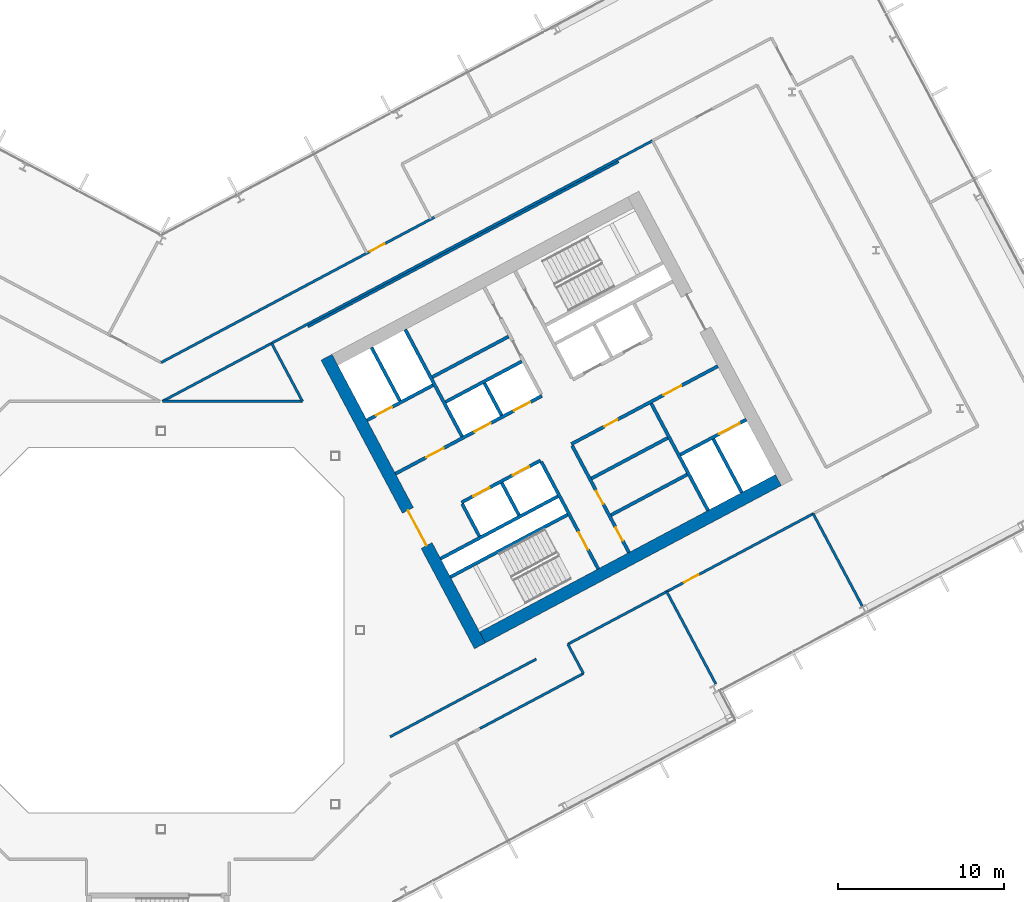
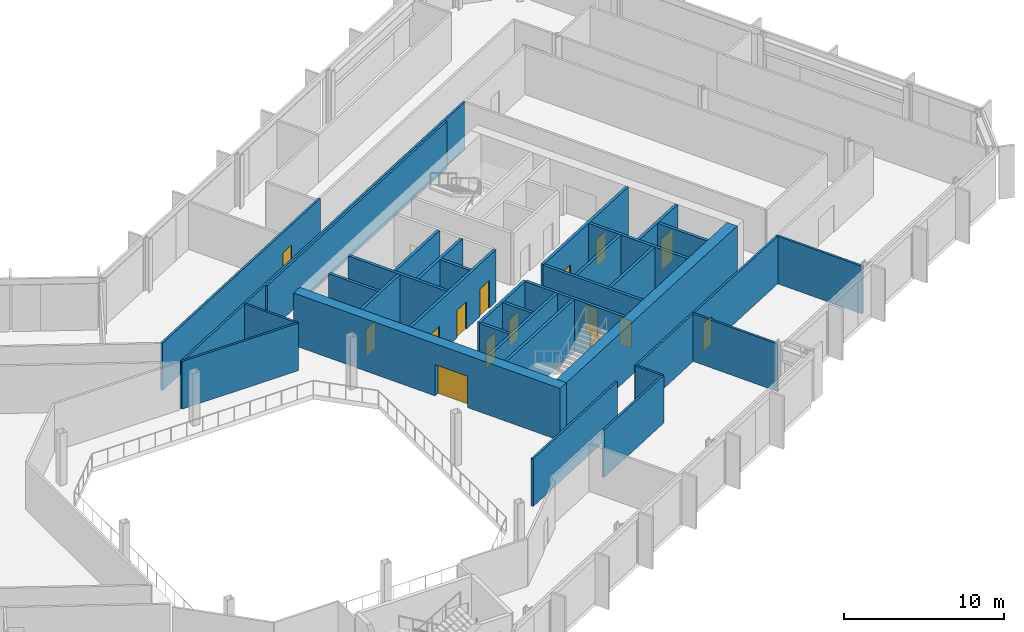
# One storey, part 16 of 28: 33 walls, 15 doors, 15 openings.
"""IFC4 building model written with IfcOpenShell, lengths in metres."""

from ifc_helpers import new_model, si_unit, direction, frame, frame_2d, origin, place, context, subcontext, project, spatial, rectangle, extrude, material, layer, layer_set, type_object, element, fill, save


model = new_model("IFC4")

# Units and contexts
model_context = context("Model", 3, precision=1e-05, world=origin(), true_north=direction((0.0, 1.0)))
body_context = subcontext(model_context, "Body", "Model", "MODEL_VIEW")
ifc_project = project(units=[si_unit("LENGTHUNIT", "METRE"), si_unit("AREAUNIT", "SQUARE_METRE"), si_unit("VOLUMEUNIT", "CUBIC_METRE"), si_unit("PLANEANGLEUNIT", "RADIAN"), si_unit("MASSUNIT", "GRAM", prefix="KILO")], contexts=[model_context])

# Site, building, storey
site_placement = place(None, origin())
site = spatial("IfcSite", under=ifc_project, at=site_placement, CompositionType="ELEMENT")
building_placement = place(site_placement, origin())
building = spatial("IfcBuilding", under=site, at=building_placement, Name="Cormorant Relay Tower", CompositionType="ELEMENT")
storey_placement = place(building_placement, frame((0.0, 0.0, 134.199951171875)))
storey = spatial("IfcBuildingStorey", under=building, at=storey_placement, Name="L27", CompositionType="ELEMENT", Elevation=134.199951171875)

# Walls
ifc_material_1 = material(Name="Concrete 40 MPa", Category="concrete")
ifc_layer_1 = layer(ifc_material_1, 0.199951171875)
ifc_layer_set_1 = layer_set([ifc_layer_1], Name="Core internal wall 200")
wall_type_1 = type_object("IfcWallType", Name="Core internal wall 200", PredefinedType="SOLIDWALL", material=ifc_layer_set_1)
for number, where, z_axis, x_axis, name in (
    (1, (21.567626953125, 6.9375, 0.0), (0.0, 0.0, 1.0), (-0.469533832133, 0.882914480843, 0.0), "L27 core B shaft and room wall"),
    (2, (20.522216796875, 12.950439453125, 0.0), (0.0, 0.0, 1.0), (-0.469401318492, 0.882984938828, 0.0), "L27 core B shaft and room wall"),
):
    element("IfcWall", number, at=place(storey_placement, frame(where, z_axis=z_axis, x_axis=x_axis)), inside=storey, type_object=wall_type_1, Name=name, PredefinedType="SOLIDWALL", context=body_context, shape_type="SweptSolid", body=[
        extrude(rectangle(XDim=2.199951171875, YDim=0.199951171875, at=frame_2d((1.10009765625, 0.0))), origin(), (0.0, 0.0, 1.0), 4.0),
    ])
for number, where, z_axis, x_axis, name in (
    (3, (27.11474609375, 6.942138671875, 0.0), (0.0, 0.0, 1.0), (0.882934506056, 0.469496174655, 0.0), "L27 core B shaft and room wall"),
    (4, (16.3486328125, 15.26171875, 0.0), (0.0, 0.0, 1.0), (0.882953967957, 0.469459572775, 0.0), "L27 core B shaft and room wall"),
):
    element("IfcWall", number, at=place(storey_placement, frame(where, z_axis=z_axis, x_axis=x_axis)), inside=storey, type_object=wall_type_1, Name=name, PredefinedType="SOLIDWALL", context=body_context, shape_type="SweptSolid", body=[
        extrude(rectangle(XDim=5.199951171875, YDim=0.199951171875, at=frame_2d((2.60009765625, 0.0))), origin(), (0.0, 0.0, 1.0), 4.0),
    ])
ifc_material_2 = material(Name="Concrete 50 MPa", Category="concrete")
ifc_layer_2 = layer(ifc_material_2, 0.199951171875)
ifc_layer_set_2 = layer_set([ifc_layer_2], Name="Core shaft wall 200")
wall_type_2 = type_object("IfcWallType", Name="Core shaft wall 200", PredefinedType="SHEAR", material=ifc_layer_set_2)
wall_1_placement = place(storey_placement, frame((14.39404296875, 13.825927734375, 0.0), z_axis=(0.0, 0.0, 1.0), x_axis=(-0.469494272526, 0.882935517501, 0.0)))
element("IfcWall", 5, at=wall_1_placement, inside=storey, type_object=wall_type_2, Name="L27 core B shaft wall", PredefinedType="SHEAR", context=body_context, shape_type="SweptSolid", body=[
    extrude(rectangle(XDim=3.64990234375, YDim=0.199951171875, at=frame_2d((1.824951171875, 0.0))), origin(), (0.0, 0.0, 1.0), 4.0),
])
wall_2_placement = place(storey_placement, frame((19.18359375, 5.669921875, 0.0), z_axis=(0.0, 0.0, 1.0), x_axis=(-0.4694473164, 0.882960484464, 0.0)))
element("IfcWall", 6, at=wall_2_placement, inside=storey, type_object=wall_type_2, Name="L27 core B shaft wall", PredefinedType="SHEAR", context=body_context, shape_type="SweptSolid", body=[
    extrude(rectangle(XDim=2.199951171875, YDim=0.199951171875, at=frame_2d((1.10009765625, 0.0))), origin(), (0.0, 0.0, 1.0), 4.0),
])
wall_3_placement = place(storey_placement, frame((18.138427734375, 11.682861328125, 0.0), z_axis=(0.0, 0.0, 1.0), x_axis=(-0.469480409012, 0.88294288918, 0.0)))
element("IfcWall", 7, at=wall_3_placement, inside=storey, type_object=wall_type_2, Name="L27 core B shaft wall", PredefinedType="SHEAR", context=body_context, shape_type="SweptSolid", body=[
    extrude(rectangle(XDim=7.300048828125, YDim=0.199951171875, at=frame_2d((3.64990234375, 0.0))), origin(), (0.0, 0.0, 1.0), 4.0),
])

# Wall, opening, door
wall_4_placement = place(storey_placement, frame((26.345947265625, 3.701904296875, 0.0), z_axis=(0.0, 0.0, 1.0), x_axis=(-0.469480409012, 0.88294288918, 0.0)))
wall_4 = element("IfcWall", 8, at=wall_4_placement, inside=storey, type_object=wall_type_2, Name="L27 core B shaft wall", PredefinedType="SHEAR", context=body_context, shape_type="SweptSolid", body=[
    extrude(rectangle(XDim=7.300048828125, YDim=0.199951171875, at=frame_2d((3.64990234375, 0.0))), origin(), (0.0, 0.0, 1.0), 4.0),
])
opening_1_placement = place(wall_4_placement, frame((1.300048828125, 0.0, 0.0)))
opening_1 = element("IfcOpeningElement", 9, at=opening_1_placement, cuts=wall_4, Name="Opening CDB-036", PredefinedType="OPENING", context=body_context, shape_type="SweptSolid", body=[
    extrude(rectangle(XDim=1.199951171875, YDim=2.10009765625, at=frame_2d((0.60009765625, 1.050048828125))), frame((0.0, 0.10986328125, 0.0), z_axis=(0.0, -1.0, 0.0), x_axis=(1.0, 0.0, 0.0)), (0.0, 0.0, 1.0), 0.219970703125),
])
ifc_material_3 = material(Name="Steel fire door", Category="steel")
door_type_1 = type_object("IfcDoorType", Name="Core stair door 1200x2100", OperationType="SINGLE_SWING_LEFT", PredefinedType="DOOR", material=ifc_material_3)
door_1_placement = place(opening_1_placement, origin())
door_1 = element("IfcDoor", 10, at=door_1_placement, inside=storey, type_object=door_type_1, Name="Core stair door 1200x2100", OperationType="SINGLE_SWING_RIGHT", OverallHeight=2.10009765625, OverallWidth=1.199951171875, PredefinedType="DOOR", context=body_context, shape_type="SweptSolid", body=[
    extrude(rectangle(XDim=1.199951171875, YDim=2.10009765625, at=frame_2d((0.60009765625, 1.050048828125))), frame((0.0, 0.02490234375, 0.0), z_axis=(0.0, -1.0, 0.0), x_axis=(1.0, 0.0, 0.0)), (0.0, 0.0, 1.0), 0.050048828125),
])
fill(opening_1, door_1)

# Wall, openings, doors
wall_5_placement = place(storey_placement, frame((28.199951171875, 4.687744140625, 0.0), z_axis=(0.0, 0.0, 1.0), x_axis=(-0.469454336211, 0.882956752176, 0.0)))
wall_5 = element("IfcWall", 11, at=wall_5_placement, inside=storey, type_object=wall_type_2, Name="L27 core B shaft wall", PredefinedType="SHEAR", context=body_context, shape_type="SweptSolid", body=[
    extrude(rectangle(XDim=7.300048828125, YDim=0.199951171875, at=frame_2d((3.64990234375, 0.0))), origin(), (0.0, 0.0, 1.0), 4.0),
])
opening_2_placement = place(wall_5_placement, frame((0.800048828125, 0.0, 0.0)))
opening_2 = element("IfcOpeningElement", 12, at=opening_2_placement, cuts=wall_5, Name="Opening CDD-194", PredefinedType="OPENING", context=body_context, shape_type="SweptSolid", body=[
    extrude(rectangle(XDim=0.89990234375, YDim=2.10009765625, at=frame_2d((0.449951171875, 1.050048828125))), frame((0.0, 0.10986328125, 0.0), z_axis=(0.0, -1.0, 0.0), x_axis=(1.0, 0.0, 0.0)), (0.0, 0.0, 1.0), 0.219970703125),
])
opening_3_placement = place(wall_5_placement, frame((3.300048828125, 0.0, 0.0)))
opening_3 = element("IfcOpeningElement", 13, at=opening_3_placement, cuts=wall_5, Name="Opening CDD-195", PredefinedType="OPENING", context=body_context, shape_type="SweptSolid", body=[
    extrude(rectangle(XDim=0.89990234375, YDim=2.10009765625, at=frame_2d((0.449951171875, 1.050048828125))), frame((0.0, 0.10986328125, 0.0), z_axis=(0.0, -1.0, 0.0), x_axis=(1.0, 0.0, 0.0)), (0.0, 0.0, 1.0), 0.219970703125),
])
ifc_material_4 = material(Name="Steel fire door", Category="steel")
door_type_2 = type_object("IfcDoorType", Name="Core room door 900x2100", OperationType="SINGLE_SWING_LEFT", PredefinedType="DOOR", material=ifc_material_4)
door_2_placement = place(opening_2_placement, frame((0.89990234375, 0.0, 0.0), z_axis=(0.0, 0.0, 1.0), x_axis=(-1.0, 0.0, 0.0)))
door_2 = element("IfcDoor", 14, at=door_2_placement, inside=storey, type_object=door_type_2, Name="Core room door 900x2100", OperationType="SINGLE_SWING_LEFT", OverallHeight=2.10009765625, OverallWidth=0.89990234375, PredefinedType="DOOR", context=body_context, shape_type="SweptSolid", body=[
    extrude(rectangle(XDim=0.89990234375, YDim=2.10009765625, at=frame_2d((0.449951171875, 1.050048828125))), frame((0.0, 0.02490234375, 0.0), z_axis=(0.0, -1.0, 0.0), x_axis=(1.0, 0.0, 0.0)), (0.0, 0.0, 1.0), 0.050048828125),
])
fill(opening_2, door_2)
door_3_placement = place(opening_3_placement, frame((0.89990234375, 0.0, 0.0), z_axis=(0.0, 0.0, 1.0), x_axis=(-1.0, 0.0, 0.0)))
door_3 = element("IfcDoor", 15, at=door_3_placement, inside=storey, type_object=door_type_2, Name="Core room door 900x2100", OperationType="SINGLE_SWING_LEFT", OverallHeight=2.10009765625, OverallWidth=0.89990234375, PredefinedType="DOOR", context=body_context, shape_type="SweptSolid", body=[
    extrude(rectangle(XDim=0.89990234375, YDim=2.10009765625, at=frame_2d((0.449951171875, 1.050048828125))), frame((0.0, 0.02490234375, 0.0), z_axis=(0.0, -1.0, 0.0), x_axis=(1.0, 0.0, 0.0)), (0.0, 0.0, 1.0), 0.050048828125),
])
fill(opening_3, door_3)

# Walls
wall_6_placement = place(storey_placement, frame((32.968017578125, 7.222900390625, 0.0), z_axis=(0.0, 0.0, 1.0), x_axis=(-0.469480409012, 0.88294288918, 0.0)))
element("IfcWall", 16, at=wall_6_placement, inside=storey, type_object=wall_type_2, Name="L27 core B shaft wall", PredefinedType="SHEAR", context=body_context, shape_type="SweptSolid", body=[
    extrude(rectangle(XDim=7.300048828125, YDim=0.199951171875, at=frame_2d((3.64990234375, 0.0))), origin(), (0.0, 0.0, 1.0), 4.0),
])
wall_7_placement = place(storey_placement, frame((34.998779296875, 8.302734375, 0.0), z_axis=(0.0, 0.0, 1.0), x_axis=(-0.4694665462, 0.882950260207, 0.0)))
element("IfcWall", 17, at=wall_7_placement, inside=storey, type_object=wall_type_2, Name="L27 core B shaft wall", PredefinedType="SHEAR", context=body_context, shape_type="SweptSolid", body=[
    extrude(rectangle(XDim=3.650146484375, YDim=0.199951171875, at=frame_2d((1.8251953125, 0.0))), origin(), (0.0, 0.0, 1.0), 4.0),
])
wall_8_placement = place(storey_placement, frame((17.43359375, 3.210205078125, 0.0), z_axis=(0.0, 0.0, 1.0), x_axis=(0.882940221191, 0.469485426614, 0.0)))
element("IfcWall", 18, at=wall_8_placement, inside=storey, type_object=wall_type_2, Name="L27 core B shaft wall", PredefinedType="SHEAR", context=body_context, shape_type="SweptSolid", body=[
    extrude(rectangle(XDim=8.0, YDim=0.199951171875, at=frame_2d((4.0, 0.0))), origin(), (0.0, 0.0, 1.0), 4.0),
])

# Wall, opening, door
wall_9_placement = place(storey_placement, frame((31.295654296875, 10.5810546875, 0.0), z_axis=(0.0, 0.0, 1.0), x_axis=(0.882960433586, 0.469447412093, 0.0)))
wall_9 = element("IfcWall", 19, at=wall_9_placement, inside=storey, type_object=wall_type_2, Name="L27 core B shaft wall", PredefinedType="SHEAR", context=body_context, shape_type="SweptSolid", body=[
    extrude(rectangle(XDim=4.5, YDim=0.199951171875, at=frame_2d((2.25, 0.0))), origin(), (0.0, 0.0, 1.0), 4.0),
])
opening_4_placement = place(wall_9_placement, frame((2.64990234375, 0.0, 0.0)))
opening_4 = element("IfcOpeningElement", 20, at=opening_4_placement, cuts=wall_9, Name="Opening LD3-014", PredefinedType="OPENING", context=body_context, shape_type="SweptSolid", body=[
    extrude(rectangle(XDim=1.39990234375, YDim=2.39990234375, at=frame_2d((0.699951171875, 1.199951171875))), frame((0.0, 0.10986328125, 0.0), z_axis=(0.0, -1.0, 0.0), x_axis=(1.0, 0.0, 0.0)), (0.0, 0.0, 1.0), 0.219970703125),
])
ifc_material_5 = material(Name="Stainless steel 316", Category="steel")
door_type_3 = type_object("IfcDoorType", Name="Lift landing door 1400x2400", OperationType="DOUBLE_DOOR_SLIDING", PredefinedType="DOOR", material=ifc_material_5)
door_4_placement = place(opening_4_placement, origin())
door_4 = element("IfcDoor", 21, at=door_4_placement, inside=storey, type_object=door_type_3, Name="SV2 landing door", OperationType="DOUBLE_DOOR_SLIDING", OverallHeight=2.39990234375, OverallWidth=1.39990234375, PredefinedType="DOOR", context=body_context, shape_type="SweptSolid", body=[
    extrude(rectangle(XDim=1.39990234375, YDim=2.39990234375, at=frame_2d((0.699951171875, 1.199951171875))), frame((0.0, 0.02490234375, 0.0), z_axis=(0.0, -1.0, 0.0), x_axis=(1.0, 0.0, 0.0)), (0.0, 0.0, 1.0), 0.050048828125),
])
fill(opening_4, door_4)

# Walls
wall_10_placement = place(storey_placement, frame((16.8466796875, 4.31396484375, 0.0), z_axis=(0.0, 0.0, 1.0), x_axis=(0.882940221191, 0.469485426614, 0.0)))
element("IfcWall", 22, at=wall_10_placement, inside=storey, type_object=wall_type_2, Name="L27 core B shaft wall", PredefinedType="SHEAR", context=body_context, shape_type="SweptSolid", body=[
    extrude(rectangle(XDim=8.0, YDim=0.199951171875, at=frame_2d((4.0, 0.0))), origin(), (0.0, 0.0, 1.0), 4.0),
])
wall_11_placement = place(storey_placement, frame((25.94091796875, 9.149658203125, 0.0), z_axis=(0.0, 0.0, 1.0), x_axis=(0.882953967957, 0.469459572775, 0.0)))
element("IfcWall", 23, at=wall_11_placement, inside=storey, type_object=wall_type_2, Name="L27 core B shaft wall", PredefinedType="SHEAR", context=body_context, shape_type="SweptSolid", body=[
    extrude(rectangle(XDim=5.199951171875, YDim=0.199951171875, at=frame_2d((2.60009765625, 0.0))), origin(), (0.0, 0.0, 1.0), 4.0),
])

# Wall, openings, doors
wall_12_placement = place(storey_placement, frame((18.103759765625, 7.70068359375, 0.0), z_axis=(0.0, 0.0, 1.0), x_axis=(0.882952937579, 0.469461510692, 0.0)))
wall_12 = element("IfcWall", 24, at=wall_12_placement, inside=storey, type_object=wall_type_2, Name="L27 core B shaft wall", PredefinedType="SHEAR", context=body_context, shape_type="SweptSolid", body=[
    extrude(rectangle(XDim=5.400146484375, YDim=0.199951171875, at=frame_2d((2.7001953125, 0.0))), origin(), (0.0, 0.0, 1.0), 4.0),
])
opening_5_placement = place(wall_12_placement, frame((0.800048828125, 0.0, 0.0)))
opening_5 = element("IfcOpeningElement", 25, at=opening_5_placement, cuts=wall_12, Name="Opening LD1-048", PredefinedType="OPENING", context=body_context, shape_type="SweptSolid", body=[
    extrude(rectangle(XDim=1.10009765625, YDim=2.10009765625, at=frame_2d((0.550048828125, 1.050048828125))), frame((0.0, 0.10986328125, 0.0), z_axis=(0.0, -1.0, 0.0), x_axis=(1.0, 0.0, 0.0)), (0.0, 0.0, 1.0), 0.219970703125),
])
opening_6_placement = place(wall_12_placement, frame((3.5, 0.0, 0.0)))
opening_6 = element("IfcOpeningElement", 26, at=opening_6_placement, cuts=wall_12, Name="Opening LD1-049", PredefinedType="OPENING", context=body_context, shape_type="SweptSolid", body=[
    extrude(rectangle(XDim=1.10009765625, YDim=2.10009765625, at=frame_2d((0.550048828125, 1.050048828125))), frame((0.0, 0.10986328125, 0.0), z_axis=(0.0, -1.0, 0.0), x_axis=(1.0, 0.0, 0.0)), (0.0, 0.0, 1.0), 0.219970703125),
])
ifc_material_6 = material(Name="Stainless steel 316", Category="steel")
door_type_4 = type_object("IfcDoorType", Name="Lift landing door 1100x2100", OperationType="DOUBLE_DOOR_SLIDING", PredefinedType="DOOR", material=ifc_material_6)
door_5_placement = place(opening_5_placement, origin())
door_5 = element("IfcDoor", 27, at=door_5_placement, inside=storey, type_object=door_type_4, Name="LR5 landing door", OperationType="DOUBLE_DOOR_SLIDING", OverallHeight=2.10009765625, OverallWidth=1.10009765625, PredefinedType="DOOR", context=body_context, shape_type="SweptSolid", body=[
    extrude(rectangle(XDim=1.10009765625, YDim=2.10009765625, at=frame_2d((0.550048828125, 1.050048828125))), frame((0.0, 0.02490234375, 0.0), z_axis=(0.0, -1.0, 0.0), x_axis=(1.0, 0.0, 0.0)), (0.0, 0.0, 1.0), 0.050048828125),
])
fill(opening_5, door_5)
door_6_placement = place(opening_6_placement, origin())
door_6 = element("IfcDoor", 28, at=door_6_placement, inside=storey, type_object=door_type_4, Name="LR6 landing door", OperationType="DOUBLE_DOOR_SLIDING", OverallHeight=2.10009765625, OverallWidth=1.10009765625, PredefinedType="DOOR", context=body_context, shape_type="SweptSolid", body=[
    extrude(rectangle(XDim=1.10009765625, YDim=2.10009765625, at=frame_2d((0.550048828125, 1.050048828125))), frame((0.0, 0.02490234375, 0.0), z_axis=(0.0, -1.0, 0.0), x_axis=(1.0, 0.0, 0.0)), (0.0, 0.0, 1.0), 0.050048828125),
])
fill(opening_6, door_6)

wall_13_placement = place(storey_placement, frame((24.72607421875, 11.2216796875, 0.0), z_axis=(0.0, 0.0, 1.0), x_axis=(0.882940221191, 0.469485426614, 0.0)))
wall_13 = element("IfcWall", 29, at=wall_13_placement, inside=storey, type_object=wall_type_2, Name="L27 core B shaft wall", PredefinedType="SHEAR", context=body_context, shape_type="SweptSolid", body=[
    extrude(rectangle(XDim=10.0, YDim=0.199951171875, at=frame_2d((5.0, 0.0))), origin(), (0.0, 0.0, 1.0), 4.0),
])
opening_7_placement = place(wall_13_placement, frame((6.300048828125, 0.0, 0.0)))
opening_7 = element("IfcOpeningElement", 30, at=opening_7_placement, cuts=wall_13, Name="Opening CDC-030", PredefinedType="OPENING", context=body_context, shape_type="SweptSolid", body=[
    extrude(rectangle(XDim=1.199951171875, YDim=2.10009765625, at=frame_2d((0.60009765625, 1.050048828125))), frame((0.0, 0.10986328125, 0.0), z_axis=(0.0, -1.0, 0.0), x_axis=(1.0, 0.0, 0.0)), (0.0, 0.0, 1.0), 0.219970703125),
])
opening_8_placement = place(wall_13_placement, frame((2.25, 0.0, 0.0)))
opening_8 = element("IfcOpeningElement", 31, at=opening_8_placement, cuts=wall_13, Name="Opening CDD-191", PredefinedType="OPENING", context=body_context, shape_type="SweptSolid", body=[
    extrude(rectangle(XDim=0.89990234375, YDim=2.10009765625, at=frame_2d((0.449951171875, 1.050048828125))), frame((0.0, 0.10986328125, 0.0), z_axis=(0.0, -1.0, 0.0), x_axis=(1.0, 0.0, 0.0)), (0.0, 0.0, 1.0), 0.219970703125),
])
ifc_material_7 = material(Name="Steel fire door", Category="steel")
door_type_5 = type_object("IfcDoorType", Name="Core lobby door 1200x2100", OperationType="SINGLE_SWING_LEFT", PredefinedType="DOOR", material=ifc_material_7)
door_7_placement = place(opening_7_placement, origin())
door_7 = element("IfcDoor", 32, at=door_7_placement, inside=storey, type_object=door_type_5, Name="Core lobby door 1200x2100", OperationType="SINGLE_SWING_LEFT", OverallHeight=2.10009765625, OverallWidth=1.199951171875, PredefinedType="DOOR", context=body_context, shape_type="SweptSolid", body=[
    extrude(rectangle(XDim=1.199951171875, YDim=2.10009765625, at=frame_2d((0.60009765625, 1.050048828125))), frame((0.0, 0.02490234375, 0.0), z_axis=(0.0, -1.0, 0.0), x_axis=(1.0, 0.0, 0.0)), (0.0, 0.0, 1.0), 0.050048828125),
])
fill(opening_7, door_7)
door_8_placement = place(opening_8_placement, origin())
door_8 = element("IfcDoor", 33, at=door_8_placement, inside=storey, type_object=door_type_2, Name="Core room door 900x2100", OperationType="SINGLE_SWING_LEFT", OverallHeight=2.10009765625, OverallWidth=0.89990234375, PredefinedType="DOOR", context=body_context, shape_type="SweptSolid", body=[
    extrude(rectangle(XDim=0.89990234375, YDim=2.10009765625, at=frame_2d((0.449951171875, 1.050048828125))), frame((0.0, 0.02490234375, 0.0), z_axis=(0.0, -1.0, 0.0), x_axis=(1.0, 0.0, 0.0)), (0.0, 0.0, 1.0), 0.050048828125),
])
fill(opening_8, door_8)

wall_14_placement = place(storey_placement, frame((14.123779296875, 9.43505859375, 0.0), z_axis=(0.0, 0.0, 1.0), x_axis=(0.882940221191, 0.469485426614, 0.0)))
wall_14 = element("IfcWall", 34, at=wall_14_placement, inside=storey, type_object=wall_type_2, Name="L27 core B shaft wall", PredefinedType="SHEAR", context=body_context, shape_type="SweptSolid", body=[
    extrude(rectangle(XDim=10.0, YDim=0.199951171875, at=frame_2d((5.0, 0.0))), origin(), (0.0, 0.0, 1.0), 4.0),
])
opening_9_placement = place(wall_14_placement, frame((2.10009765625, 0.0, 0.0)))
opening_9 = element("IfcOpeningElement", 35, at=opening_9_placement, cuts=wall_14, Name="Opening CDC-027", PredefinedType="OPENING", context=body_context, shape_type="SweptSolid", body=[
    extrude(rectangle(XDim=1.199951171875, YDim=2.10009765625, at=frame_2d((0.60009765625, 1.050048828125))), frame((0.0, 0.10986328125, 0.0), z_axis=(0.0, -1.0, 0.0), x_axis=(1.0, 0.0, 0.0)), (0.0, 0.0, 1.0), 0.219970703125),
])
opening_10_placement = place(wall_14_placement, frame((5.39990234375, 0.0, 0.0)))
opening_10 = element("IfcOpeningElement", 36, at=opening_10_placement, cuts=wall_14, Name="Opening LD1-044", PredefinedType="OPENING", context=body_context, shape_type="SweptSolid", body=[
    extrude(rectangle(XDim=1.10009765625, YDim=2.10009765625, at=frame_2d((0.550048828125, 1.050048828125))), frame((0.0, 0.10986328125, 0.0), z_axis=(0.0, -1.0, 0.0), x_axis=(1.0, 0.0, 0.0)), (0.0, 0.0, 1.0), 0.219970703125),
])
opening_11_placement = place(wall_14_placement, frame((8.10009765625, 0.0, 0.0)))
opening_11 = element("IfcOpeningElement", 37, at=opening_11_placement, cuts=wall_14, Name="Opening LD1-045", PredefinedType="OPENING", context=body_context, shape_type="SweptSolid", body=[
    extrude(rectangle(XDim=1.10009765625, YDim=2.10009765625, at=frame_2d((0.550048828125, 1.050048828125))), frame((0.0, 0.10986328125, 0.0), z_axis=(0.0, -1.0, 0.0), x_axis=(1.0, 0.0, 0.0)), (0.0, 0.0, 1.0), 0.219970703125),
])
door_9_placement = place(opening_9_placement, origin())
door_9 = element("IfcDoor", 38, at=door_9_placement, inside=storey, type_object=door_type_5, Name="Core lobby door 1200x2100", OperationType="SINGLE_SWING_RIGHT", OverallHeight=2.10009765625, OverallWidth=1.199951171875, PredefinedType="DOOR", context=body_context, shape_type="SweptSolid", body=[
    extrude(rectangle(XDim=1.199951171875, YDim=2.10009765625, at=frame_2d((0.60009765625, 1.050048828125))), frame((0.0, 0.02490234375, 0.0), z_axis=(0.0, -1.0, 0.0), x_axis=(1.0, 0.0, 0.0)), (0.0, 0.0, 1.0), 0.050048828125),
])
fill(opening_9, door_9)
door_10_placement = place(opening_10_placement, origin())
door_10 = element("IfcDoor", 39, at=door_10_placement, inside=storey, type_object=door_type_4, Name="LR1 landing door", OperationType="DOUBLE_DOOR_SLIDING", OverallHeight=2.10009765625, OverallWidth=1.10009765625, PredefinedType="DOOR", context=body_context, shape_type="SweptSolid", body=[
    extrude(rectangle(XDim=1.10009765625, YDim=2.10009765625, at=frame_2d((0.550048828125, 1.050048828125))), frame((0.0, 0.02490234375, 0.0), z_axis=(0.0, -1.0, 0.0), x_axis=(1.0, 0.0, 0.0)), (0.0, 0.0, 1.0), 0.050048828125),
])
fill(opening_10, door_10)
door_11_placement = place(opening_11_placement, origin())
door_11 = element("IfcDoor", 40, at=door_11_placement, inside=storey, type_object=door_type_4, Name="LR2 landing door", OperationType="DOUBLE_DOOR_SLIDING", OverallHeight=2.10009765625, OverallWidth=1.10009765625, PredefinedType="DOOR", context=body_context, shape_type="SweptSolid", body=[
    extrude(rectangle(XDim=1.10009765625, YDim=2.10009765625, at=frame_2d((0.550048828125, 1.050048828125))), frame((0.0, 0.02490234375, 0.0), z_axis=(0.0, -1.0, 0.0), x_axis=(1.0, 0.0, 0.0)), (0.0, 0.0, 1.0), 0.050048828125),
])
fill(opening_11, door_11)

# Wall
wall_15_placement = place(storey_placement, frame((17.146728515625, 13.7607421875, 0.0), z_axis=(0.0, 0.0, 1.0), x_axis=(0.882964314875, 0.469440111896, 0.0)))
element("IfcWall", 41, at=wall_15_placement, inside=storey, type_object=wall_type_2, Name="L27 core B shaft wall", PredefinedType="SHEAR", context=body_context, shape_type="SweptSolid", body=[
    extrude(rectangle(XDim=5.2001953125, YDim=0.199951171875, at=frame_2d((2.60009765625, 0.0))), origin(), (0.0, 0.0, 1.0), 4.0),
])

# Wall, opening, door
wall_16_placement = place(storey_placement, frame((12.41015625, 12.657958984375, 0.0), z_axis=(0.0, 0.0, 1.0), x_axis=(0.8829484765, 0.469469900894, 0.0)))
wall_16 = element("IfcWall", 42, at=wall_16_placement, inside=storey, type_object=wall_type_2, Name="L27 core B shaft wall", PredefinedType="SHEAR", context=body_context, shape_type="SweptSolid", body=[
    extrude(rectangle(XDim=4.499755859375, YDim=0.199951171875, at=frame_2d((2.25, 0.0))), origin(), (0.0, 0.0, 1.0), 4.0),
])
opening_12_placement = place(wall_16_placement, frame((0.60009765625, 0.0, 0.0)))
opening_12 = element("IfcOpeningElement", 43, at=opening_12_placement, cuts=wall_16, Name="Opening LD1-050", PredefinedType="OPENING", context=body_context, shape_type="SweptSolid", body=[
    extrude(rectangle(XDim=1.10009765625, YDim=2.10009765625, at=frame_2d((0.550048828125, 1.050048828125))), frame((0.0, 0.10986328125, 0.0), z_axis=(0.0, -1.0, 0.0), x_axis=(1.0, 0.0, 0.0)), (0.0, 0.0, 1.0), 0.219970703125),
])
door_12_placement = place(opening_12_placement, origin())
door_12 = element("IfcDoor", 44, at=door_12_placement, inside=storey, type_object=door_type_4, Name="FF2 landing door", OperationType="DOUBLE_DOOR_SLIDING", OverallHeight=2.10009765625, OverallWidth=1.10009765625, PredefinedType="DOOR", context=body_context, shape_type="SweptSolid", body=[
    extrude(rectangle(XDim=1.10009765625, YDim=2.10009765625, at=frame_2d((0.550048828125, 1.050048828125))), frame((0.0, 0.02490234375, 0.0), z_axis=(0.0, -1.0, 0.0), x_axis=(1.0, 0.0, 0.0)), (0.0, 0.0, 1.0), 0.050048828125),
])
fill(opening_12, door_12)

ifc_material_8 = material(Name="Concrete 60 MPa", Category="concrete")
ifc_layer_3 = layer(ifc_material_8, 0.75)
ifc_layer_set_3 = layer_set([ifc_layer_3], Name="Core wall 750")
wall_type_3 = type_object("IfcWallType", Name="Core wall 750", PredefinedType="SHEAR", material=ifc_layer_set_3)
wall_17_placement = place(storey_placement, frame((19.215087890625, -0.93896484375, 0.0), z_axis=(0.0, 0.0, 1.0), x_axis=(-0.469479580143, 0.882943329908, 0.0)))
wall_17 = element("IfcWall", 45, at=wall_17_placement, inside=storey, type_object=wall_type_3, Name="L27 core B wall", PredefinedType="SHEAR", context=body_context, shape_type="SweptSolid", body=[
    extrude(rectangle(XDim=19.699951171875, YDim=0.75, at=frame_2d((9.85009765625, 0.0))), origin(), (0.0, 0.0, 1.0), 4.0),
])
opening_13_placement = place(wall_17_placement, frame((6.85009765625, 0.0, 0.0)))
opening_13 = element("IfcOpeningElement", 46, at=opening_13_placement, cuts=wall_17, Name="Opening CDA-031", PredefinedType="OPENING", context=body_context, shape_type="SweptSolid", body=[
    extrude(rectangle(XDim=2.39990234375, YDim=2.39990234375, at=frame_2d((1.199951171875, 1.199951171875))), frame((0.0, 0.385009765625, 0.0), z_axis=(0.0, -1.0, 0.0), x_axis=(1.0, 0.0, 0.0)), (0.0, 0.0, 1.0), 0.77001953125),
])
ifc_material_9 = material(Name="Steel fire door", Category="steel")
door_type_6 = type_object("IfcDoorType", Name="Core lobby door 2400x2400", OperationType="DOUBLE_DOOR_SINGLE_SWING", PredefinedType="DOOR", material=ifc_material_9)
door_13_placement = place(opening_13_placement, origin())
door_13 = element("IfcDoor", 47, at=door_13_placement, inside=storey, type_object=door_type_6, Name="Core lobby door 2400x2400", OperationType="DOUBLE_DOOR_SINGLE_SWING", OverallHeight=2.39990234375, OverallWidth=2.39990234375, PredefinedType="DOOR", context=body_context, shape_type="SweptSolid", body=[
    extrude(rectangle(XDim=2.39990234375, YDim=2.39990234375, at=frame_2d((1.199951171875, 1.199951171875))), frame((0.0, 0.02490234375, 0.0), z_axis=(0.0, -1.0, 0.0), x_axis=(1.0, 0.0, 0.0)), (0.0, 0.0, 1.0), 0.050048828125),
])
fill(opening_13, door_13)

# Wall
wall_18_placement = place(storey_placement, frame((19.3701171875, -0.431884765625, 0.0), z_axis=(0.0, 0.0, 1.0), x_axis=(0.88294509198, 0.469476266226, 0.0)))
element("IfcWall", 48, at=wall_18_placement, inside=storey, type_object=wall_type_3, Name="L27 core B wall", PredefinedType="SHEAR", context=body_context, shape_type="SweptSolid", body=[
    extrude(rectangle(XDim=20.199951171875, YDim=0.75, at=frame_2d((10.10009765625, 0.0))), origin(), (0.0, 0.0, 1.0), 4.0),
])

# Wall, opening, door
ifc_material_10 = material(Name="Gypsum board fire partition")
ifc_layer_4 = layer(ifc_material_10, 0.14990234375)
ifc_layer_set_4 = layer_set([ifc_layer_4], Name="Corridor partition 150 EI 60")
wall_type_4 = type_object("IfcWallType", Name="Corridor partition 150 EI 60", PredefinedType="PARTITIONING", material=ifc_layer_set_4)
wall_19_placement = place(storey_placement, frame((0.0, 16.138916015625, 0.0), z_axis=(0.0, 0.0, 1.0), x_axis=(0.882958532279, 0.469450988151, 0.0)))
wall_19 = element("IfcWall", 49, at=wall_19_placement, inside=storey, type_object=wall_type_4, Name="wall/L27/part/041", PredefinedType="PARTITIONING", context=body_context, shape_type="SweptSolid", body=[
    extrude(rectangle(XDim=18.647705078125, YDim=0.14990234375, at=frame_2d((9.32373046875, 0.0))), origin(), (0.0, 0.0, 1.0), 3.64013671875),
])
opening_14_placement = place(wall_19_placement, frame((14.25, 0.0, 0.0)))
opening_14 = element("IfcOpeningElement", 50, at=opening_14_placement, cuts=wall_19, Name="Opening DS-021", PredefinedType="OPENING", context=body_context, shape_type="SweptSolid", body=[
    extrude(rectangle(XDim=1.0, YDim=2.10009765625, at=frame_2d((0.5, 1.050048828125))), frame((0.0, 0.0849609375, 0.0), z_axis=(0.0, -1.0, 0.0), x_axis=(1.0, 0.0, 0.0)), (0.0, 0.0, 1.0), 0.169921875),
])
ifc_material_11 = material(Name="Timber door leaf", Category="wood")
door_type_7 = type_object("IfcDoorType", Name="Suite door 1000x2100", OperationType="SINGLE_SWING_LEFT", PredefinedType="DOOR", material=ifc_material_11)
door_14_placement = place(opening_14_placement, origin())
door_14 = element("IfcDoor", 51, at=door_14_placement, inside=storey, type_object=door_type_7, Name="door/L27/008", OperationType="SINGLE_SWING_LEFT", OverallHeight=2.10009765625, OverallWidth=1.0, PredefinedType="DOOR", context=body_context, shape_type="SweptSolid", body=[
    extrude(rectangle(XDim=1.0, YDim=2.10009765625, at=frame_2d((0.5, 1.050048828125))), frame((0.0, 0.02490234375, 0.0), z_axis=(0.0, -1.0, 0.0), x_axis=(1.0, 0.0, 0.0)), (0.0, 0.0, 1.0), 0.050048828125),
])
fill(opening_14, door_14)

# Walls
wall_20_placement = place(storey_placement, frame((24.514892578125, -0.842041015625, 0.0), z_axis=(0.0, 0.0, 1.0), x_axis=(0.469509609091, -0.882927362228, 0.0)))
element("IfcWall", 52, at=wall_20_placement, inside=storey, type_object=wall_type_4, Name="wall/L27/part/063", PredefinedType="PARTITIONING", context=body_context, shape_type="SweptSolid", body=[
    extrude(rectangle(XDim=1.997802734375, YDim=0.14990234375, at=frame_2d((0.9990234375, 0.0))), origin(), (0.0, 0.0, 1.0), 3.64013671875),
])
wall_21_placement = place(storey_placement, frame((25.452880859375, -2.60595703125, 0.0), z_axis=(0.0, 0.0, 1.0), x_axis=(-0.882948296906, -0.469470238663, 0.0)))
element("IfcWall", 53, at=wall_21_placement, inside=storey, type_object=wall_type_4, Name="wall/L27/part/064", PredefinedType="PARTITIONING", context=body_context, shape_type="SweptSolid", body=[
    extrude(rectangle(XDim=7.063720703125, YDim=0.14990234375, at=frame_2d((3.53173828125, 0.0))), origin(), (0.0, 0.0, 1.0), 3.64013671875),
])

# Wall, opening, door
wall_22_placement = place(storey_placement, frame((39.321044921875, 7.033935546875, 0.0), z_axis=(0.0, 0.0, 1.0), x_axis=(-0.88292452231, -0.469514949605, 0.0)))
wall_22 = element("IfcWall", 54, at=wall_22_placement, inside=storey, type_object=wall_type_4, Name="wall/L27/part/068", PredefinedType="PARTITIONING", context=body_context, shape_type="SweptSolid", body=[
    extrude(rectangle(XDim=16.7705078125, YDim=0.14990234375, at=frame_2d((8.38525390625, 0.0))), origin(), (0.0, 0.0, 1.0), 3.64013671875),
])
opening_15_placement = place(wall_22_placement, frame((7.84912109375, 0.0, 0.0)))
opening_15 = element("IfcOpeningElement", 55, at=opening_15_placement, cuts=wall_22, Name="Opening DS-020", PredefinedType="OPENING", context=body_context, shape_type="SweptSolid", body=[
    extrude(rectangle(XDim=1.0, YDim=2.10009765625, at=frame_2d((0.5, 1.050048828125))), frame((0.0, 0.0849609375, 0.0), z_axis=(0.0, -1.0, 0.0), x_axis=(1.0, 0.0, 0.0)), (0.0, 0.0, 1.0), 0.169921875),
])
door_15_placement = place(opening_15_placement, origin())
door_15 = element("IfcDoor", 56, at=door_15_placement, inside=storey, type_object=door_type_7, Name="door/L27/005", OperationType="SINGLE_SWING_RIGHT", OverallHeight=2.10009765625, OverallWidth=1.0, PredefinedType="DOOR", context=body_context, shape_type="SweptSolid", body=[
    extrude(rectangle(XDim=1.0, YDim=2.10009765625, at=frame_2d((0.5, 1.050048828125))), frame((0.0, 0.02490234375, 0.0), z_axis=(0.0, -1.0, 0.0), x_axis=(1.0, 0.0, 0.0)), (0.0, 0.0, 1.0), 0.050048828125),
])
fill(opening_15, door_15)

# Walls
wall_23_placement = place(storey_placement, frame((29.614013671875, 29.507080078125, 0.0), z_axis=(0.0, 0.0, 1.0), x_axis=(-0.88294370404, -0.469478876518, 0.0)))
element("IfcWall", 57, at=wall_23_placement, inside=storey, type_object=wall_type_4, Name="wall/L27/part/072", PredefinedType="PARTITIONING", context=body_context, shape_type="SweptSolid", body=[
    extrude(rectangle(XDim=33.456298828125, YDim=0.14990234375, at=frame_2d((16.72802734375, 0.0))), origin(), (0.0, 0.0, 1.0), 3.64013671875),
])
wall_24_placement = place(storey_placement, frame((0.073974609375, 13.800048828125, 0.0), z_axis=(0.0, 0.0, 1.0), x_axis=(1.0, 0.0, 0.0)))
element("IfcWall", 58, at=wall_24_placement, inside=storey, type_object=wall_type_4, Name="wall/L27/part/073", PredefinedType="PARTITIONING", context=body_context, shape_type="SweptSolid", body=[
    extrude(rectangle(XDim=8.444091796875, YDim=0.14990234375, at=frame_2d((4.22216796875, 0.0))), origin(), (0.0, 0.0, 1.0), 3.64013671875),
])
wall_25_placement = place(storey_placement, frame((8.51806640625, 13.800048828125, 0.0), z_axis=(0.0, 0.0, 1.0), x_axis=(-0.469333422869, 0.883021029295, 0.0)))
element("IfcWall", 59, at=wall_25_placement, inside=storey, type_object=wall_type_4, Name="wall/L27/part/074", PredefinedType="PARTITIONING", context=body_context, shape_type="SweptSolid", body=[
    extrude(rectangle(XDim=3.93994140625, YDim=0.14990234375, at=frame_2d((1.969970703125, 0.0))), origin(), (0.0, 0.0, 1.0), 3.64013671875),
])
wall_26_placement = place(storey_placement, frame((8.840087890625, 18.2958984375, 0.0), z_axis=(0.0, 0.0, 1.0), x_axis=(0.883138072777, 0.469113146705, 0.0)))
element("IfcWall", 60, at=wall_26_placement, inside=storey, type_object=wall_type_4, Name="wall/L27/part/075", PredefinedType="PARTITIONING", context=body_context, shape_type="SweptSolid", body=[
    extrude(rectangle(XDim=21.210693359375, YDim=0.14990234375, at=frame_2d((10.60546875, 0.0))), origin(), (0.0, 0.0, 1.0), 3.64013671875),
])
wall_27_placement = place(storey_placement, frame((13.800048828125, -6.423095703125, 0.0), z_axis=(0.0, 0.0, 1.0), x_axis=(0.882944014424, 0.469478292782, 0.0)))
element("IfcWall", 61, at=wall_27_placement, inside=storey, type_object=wall_type_4, Name="wall/L27/part/084", PredefinedType="PARTITIONING", context=body_context, shape_type="SweptSolid", body=[
    extrude(rectangle(XDim=9.9814453125, YDim=0.14990234375, at=frame_2d((4.99072265625, 0.0))), origin(), (0.0, 0.0, 1.0), 3.64013671875),
])
ifc_material_12 = material(Name="Gypsum board partition")
ifc_layer_5 = layer(ifc_material_12, 0.14990234375)
ifc_layer_set_5 = layer_set([ifc_layer_5], Name="Tenant partition 150")
wall_type_5 = type_object("IfcWallType", Name="Tenant partition 150", PredefinedType="PARTITIONING", material=ifc_layer_set_5)
wall_28_placement = place(storey_placement, frame((30.47412109375, 2.3291015625, 0.0), z_axis=(0.0, 0.0, 1.0), x_axis=(0.469455518244, -0.882956123706, 0.0)))
element("IfcWall", 62, at=wall_28_placement, inside=storey, type_object=wall_type_5, Name="wall/L27/part/067", PredefinedType="PARTITIONING", context=body_context, shape_type="SweptSolid", body=[
    extrude(rectangle(XDim=6.30029296875, YDim=0.14990234375, at=frame_2d((3.150146484375, 0.0))), origin(), (0.0, 0.0, 1.0), 3.64013671875),
])
wall_29_placement = place(storey_placement, frame((39.302978515625, 7.02392578125, 0.0), z_axis=(0.0, 0.0, 1.0), x_axis=(0.469333338233, -0.88302107428, 0.0)))
element("IfcWall", 63, at=wall_29_placement, inside=storey, type_object=wall_type_5, Name="wall/L27/part/077", PredefinedType="PARTITIONING", context=body_context, shape_type="SweptSolid", body=[
    extrude(rectangle(XDim=6.3134765625, YDim=0.14990234375, at=frame_2d((3.15673828125, 0.0))), origin(), (0.0, 0.0, 1.0), 3.64013671875),
])

save(model, "model.ifc")
